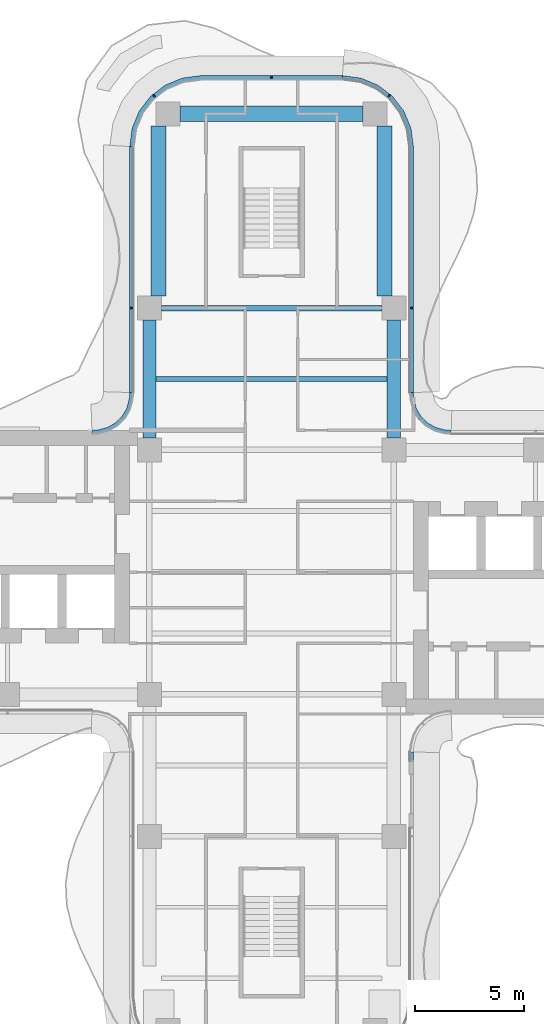
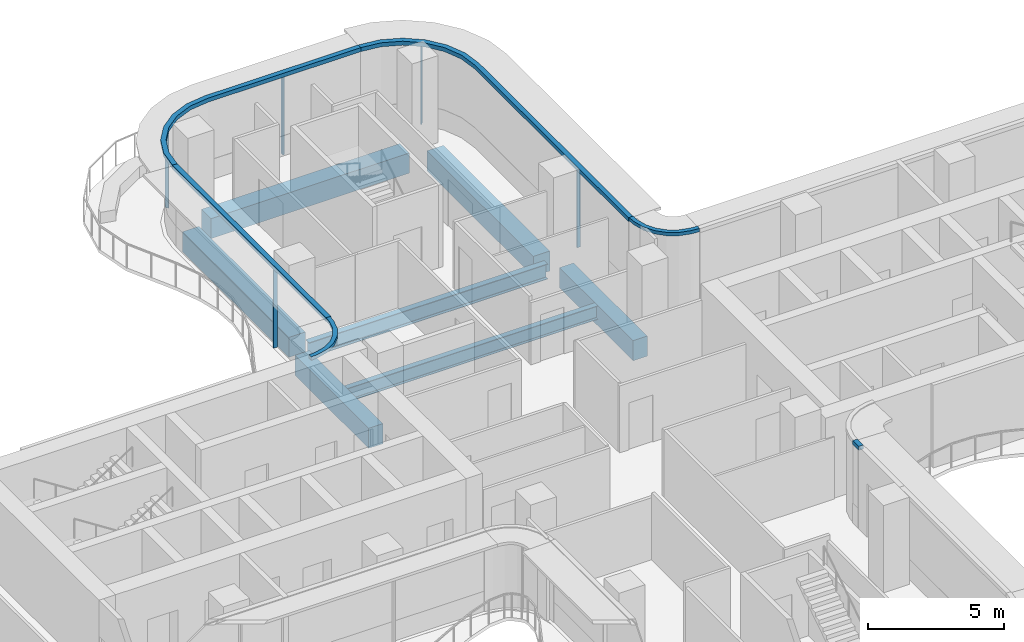
# One storey, part 7 of 17: 11 members, 7 beams, 6 elements without a shape of their own.
"""IFC4 building model written with IfcOpenShell, lengths in metres."""

from ifc_helpers import new_model, si_unit, direction, frame, origin, origin_2d, place, context, subcontext, project, spatial, polyline, rectangle, i_section, outline, extrude, source, transform, mapped, material, layer, layer_set, material_profile, profile_set, type_object, element, aggregate, save


model = new_model("IFC4")

# Units and contexts
model_context = context("Model", 3, precision=1e-05, world=origin(), true_north=direction((0.0, 1.0)))
body_context = subcontext(model_context, "Body", "Model", "MODEL_VIEW")
ifc_project = project(units=[si_unit("LENGTHUNIT", "METRE"), si_unit("AREAUNIT", "SQUARE_METRE"), si_unit("VOLUMEUNIT", "CUBIC_METRE"), si_unit("PLANEANGLEUNIT", "RADIAN"), si_unit("MASSUNIT", "GRAM", prefix="KILO")], contexts=[model_context])

# Site, building, storey
site_placement = place(None, origin())
site = spatial("IfcSite", under=ifc_project, at=site_placement, CompositionType="ELEMENT")
building_placement = place(site_placement, origin())
building = spatial("IfcBuilding", under=site, at=building_placement, Name="Trellis Farm Tower", CompositionType="ELEMENT")
storey_placement = place(building_placement, frame((0.0, 0.0, 244.10009765625)))
storey = spatial("IfcBuildingStorey", under=building, at=storey_placement, Name="L54", CompositionType="ELEMENT", Elevation=244.10009765625)

# Beams
ifc_material_1 = material(Name="Steel S355", Category="steel")
ifc_material_profile_1 = material_profile(ifc_material_1, i_section(OverallWidth=0.22900390625, OverallDepth=0.6123046875, WebThickness=0.011962890625, FlangeThickness=0.01953125, FilletRadius=0.0126953125, at=origin_2d()), Name="UB 610x229x125")
ifc_profile_set_1 = profile_set([ifc_material_profile_1], Name="Steel S355")
beam_type_1 = type_object("IfcBeamType", Name="UB 610x229x125 joist", PredefinedType="JOIST", material=ifc_profile_set_1)
shared_shape_1 = source(origin(), body_context, "Body", "SweptSolid", [
    extrude(i_section(OverallWidth=0.22900390625, OverallDepth=0.6123046875, WebThickness=0.011962890625, FlangeThickness=0.01953125, FilletRadius=0.0126953125, at=origin_2d()), origin(), (0.0, 0.0, 1.0), 10.60009765625),
])
beam_1_placement = place(storey_placement, frame((-5.300048828125, 8.85009765625, -0.506103515625), z_axis=(1.0, 0.0, 0.0), x_axis=(0.0, 1.0, 0.0)))
element("IfcBeam", 1, at=beam_1_placement, inside=storey, type_object=beam_type_1, Name="Floor beam", PredefinedType="JOIST", context=body_context, shape_type="MappedRepresentation", body=[
    mapped(shared_shape_1, transform((0.0, 0.0, 0.0))),
])
ifc_material_profile_2 = material_profile(ifc_material_1, i_section(OverallWidth=0.253662109375, OverallDepth=0.68359375, WebThickness=0.012451171875, FlangeThickness=0.021728515625, FilletRadius=0.01513671875, at=origin_2d()), Name="UB 686x254x140")
ifc_profile_set_2 = profile_set([ifc_material_profile_2], Name="Steel S355")
beam_type_2 = type_object("IfcBeamType", Name="UB 686x254x140", PredefinedType="BEAM", material=ifc_profile_set_2)
shared_shape_2 = source(origin(), body_context, "Body", "SweptSolid", [
    extrude(i_section(OverallWidth=0.253662109375, OverallDepth=0.68359375, WebThickness=0.012451171875, FlangeThickness=0.021728515625, FilletRadius=0.01513671875, at=origin_2d()), origin(), (0.0, 0.0, 1.0), 10.10009765625),
])
beam_2_placement = place(storey_placement, frame((-5.050048828125, 12.10009765625, -0.541748046875), z_axis=(1.0, 0.0, 0.0), x_axis=(0.0, 1.0, 0.0)))
element("IfcBeam", 2, at=beam_2_placement, inside=storey, type_object=beam_type_2, Name="Girder", PredefinedType="BEAM", context=body_context, shape_type="MappedRepresentation", body=[
    mapped(shared_shape_2, transform((0.0, 0.0, 0.0))),
])
ifc_material_2 = material(Name="Concrete C60/75", Category="concrete")
ifc_material_profile_3 = material_profile(ifc_material_2, rectangle(XDim=0.60009765625, YDim=0.89990234375, at=origin_2d()), Name="RC spandrel beam 600x900 C60/75")
ifc_profile_set_3 = profile_set([ifc_material_profile_3], Name="Concrete C60/75")
beam_type_3 = type_object("IfcBeamType", Name="RC spandrel beam 600x900 C60/75", PredefinedType="SPANDREL", material=ifc_profile_set_3)
shared_shape_3 = source(origin(), body_context, "Body", "SweptSolid", [
    extrude(rectangle(XDim=0.60009765625, YDim=0.89990234375, at=origin_2d()), origin(), (0.0, 0.0, 1.0), 5.400146484375),
])
for number, where, z_axis, x_axis, name in (
    (3, (-5.60009765625, 6.14990234375, -0.650146484375), (0.0, 1.0, 0.0), (-1.0, 0.0, 0.0), "Girder"),
    (4, (5.60009765625, 6.14990234375, -0.650146484375), (0.0, 1.0, 0.0), (-1.0, 0.0, 0.0), "Girder"),
):
    element("IfcBeam", number, at=place(storey_placement, frame(where, z_axis=z_axis, x_axis=x_axis)), inside=storey, type_object=beam_type_3, Name=name, PredefinedType="SPANDREL", context=body_context, shape_type="MappedRepresentation", body=[
        mapped(shared_shape_3, transform((0.0, 0.0, 0.0))),
    ])
ifc_material_profile_4 = material_profile(ifc_material_2, rectangle(XDim=0.699951171875, YDim=0.89990234375, at=origin_2d()), Name="RC spandrel beam 700x900 C60/75")
ifc_profile_set_4 = profile_set([ifc_material_profile_4], Name="Concrete C60/75")
beam_type_4 = type_object("IfcBeamType", Name="RC spandrel beam 700x900 C60/75", PredefinedType="SPANDREL", material=ifc_profile_set_4)
shared_shape_4 = source(origin(), body_context, "Body", "SweptSolid", [
    extrude(rectangle(XDim=0.699951171875, YDim=0.89990234375, at=origin_2d()), origin(), (0.0, 0.0, 1.0), 8.39990234375),
])
beam_3_placement = place(storey_placement, frame((-4.199951171875, 21.0, -0.650146484375), z_axis=(1.0, 0.0, 0.0), x_axis=(0.0, 1.0, 0.0)))
element("IfcBeam", 5, at=beam_3_placement, inside=storey, type_object=beam_type_4, Name="Girder", PredefinedType="SPANDREL", context=body_context, shape_type="MappedRepresentation", body=[
    mapped(shared_shape_4, transform((0.0, 0.0, 0.0))),
])
shared_shape_5 = source(origin(), body_context, "Body", "SweptSolid", [
    extrude(rectangle(XDim=0.699951171875, YDim=0.89990234375, at=origin_2d()), origin(), (0.0, 0.0, 1.0), 7.800048828125),
])
for number, where, z_axis, x_axis, name in (
    (6, (-5.175048828125, 12.64990234375, -0.650146484375), (0.0, 1.0, 0.0), (-1.0, 0.0, 0.0), "Girder"),
    (7, (5.175048828125, 12.64990234375, -0.650146484375), (0.0, 1.0, 0.0), (-1.0, 0.0, 0.0), "Girder"),
):
    element("IfcBeam", number, at=place(storey_placement, frame(where, z_axis=z_axis, x_axis=x_axis)), inside=storey, type_object=beam_type_4, Name=name, PredefinedType="SPANDREL", context=body_context, shape_type="MappedRepresentation", body=[
        mapped(shared_shape_5, transform((0.0, 0.0, 0.0))),
    ])

# Curtain wall, member
ifc_material_3 = material(Name="Aluminium and glass curtain wall", Category="aluminium")
ifc_layer_1 = layer(ifc_material_3, 0.18994140625)
ifc_layer_set_1 = layer_set([ifc_layer_1], Name="RIBBON CURTAIN WALL CW1")
curtain_wall_type_1 = type_object("IfcCurtainWallType", Name="RIBBON CURTAIN WALL CW1", PredefinedType="NOTDEFINED", material=ifc_layer_set_1)
placement_1 = place(storey_placement, origin())
curtain_wall_1 = element("IfcCurtainWall", 8, at=placement_1, inside=storey, type_object=curtain_wall_type_1, Name="CW1 006", PredefinedType="NOTDEFINED")
ifc_material_4 = material(Name="Aluminium extrusion 6063-T6", Category="aluminium")
ifc_layer_2 = layer(ifc_material_4, 0.199951171875)
ifc_layer_set_2 = layer_set([ifc_layer_2], Name="Aluminium extrusion 6063-T6")
member_type_1 = type_object("IfcMemberType", Name="CW1 TRANSOM 200x180", PredefinedType="USERDEFINED", material=ifc_layer_set_2)
shared_shape_6 = source(origin(), body_context, "Body", "SweptSolid", [
    extrude(outline(polyline([(6.5, -8.665771484375), (6.5, -8.2314453125), (6.300048828125, -8.224853515625), (6.300048828125, -8.665771484375), (6.5, -8.665771484375)])), origin(), (0.0, 0.0, 1.0), 0.179931640625),
])
placement_2 = place(storey_placement, frame((0.0, 0.0, 3.52001953125)))
member_1 = element("IfcMember", 9, at=placement_2, type_object=member_type_1, Name="TR1 006", ObjectType="TRANSOM", PredefinedType="USERDEFINED", context=body_context, shape_type="MappedRepresentation", body=[
    mapped(shared_shape_6, transform((0.0, 0.0, 0.0))),
])
aggregate(curtain_wall_1, [member_1])

# Curtain wall, members
curtain_wall_2 = element("IfcCurtainWall", 10, at=placement_1, inside=storey, type_object=curtain_wall_type_1, Name="CW1 010", PredefinedType="NOTDEFINED")
ifc_material_profile_5 = material_profile(ifc_material_4, rectangle(XDim=0.06005859375, YDim=0.14990234375, at=origin_2d()), Name="MULLION 60x150")
ifc_profile_set_5 = profile_set([ifc_material_profile_5], Name="Aluminium extrusion 6063-T6")
member_type_2 = type_object("IfcMemberType", Name="CW1 MULLION 60x150", PredefinedType="MULLION", material=ifc_profile_set_5)
shared_shape_7 = source(origin(), body_context, "Body", "SweptSolid", [
    extrude(rectangle(XDim=0.06005859375, YDim=0.14990234375, at=origin_2d()), origin(), (0.0, 0.0, 1.0), 3.52001953125),
])
member_2_placement = place(storey_placement, frame((6.425048828125, 12.10009765625, 0.0), z_axis=(0.0, 0.0, 1.0), x_axis=(0.0, 1.0, 0.0)))
member_2 = element("IfcMember", 11, at=member_2_placement, type_object=member_type_2, Name="MU1 010-01", PredefinedType="MULLION", context=body_context, shape_type="MappedRepresentation", body=[
    mapped(shared_shape_7, transform((0.0, 0.0, 0.0))),
])
member_3_placement = place(storey_placement, frame((5.385498046875, 21.828369140625, 0.0), z_axis=(0.0, 0.0, 1.0), x_axis=(-0.793353340291, 0.608761429009, 0.0)))
member_3 = element("IfcMember", 12, at=member_3_placement, type_object=member_type_2, Name="MU1 010-02", PredefinedType="MULLION", context=body_context, shape_type="MappedRepresentation", body=[
    mapped(shared_shape_7, transform((0.0, 0.0, 0.0))),
])

curtain_wall_3 = element("IfcCurtainWall", 13, at=placement_1, inside=storey, type_object=curtain_wall_type_1, Name="CW1 011", PredefinedType="NOTDEFINED")
member_4_placement = place(storey_placement, frame((0.0, 22.675048828125, 0.0), z_axis=(0.0, 0.0, 1.0), x_axis=(-1.0, 0.0, 0.0)))
member_4 = element("IfcMember", 14, at=member_4_placement, type_object=member_type_2, Name="MU1 011-01", PredefinedType="MULLION", context=body_context, shape_type="MappedRepresentation", body=[
    mapped(shared_shape_7, transform((0.0, 0.0, 0.0))),
])
member_5_placement = place(storey_placement, frame((-5.385498046875, 21.828369140625, 0.0), z_axis=(0.0, 0.0, 1.0), x_axis=(-0.793353340291, -0.608761429009, 0.0)))
member_5 = element("IfcMember", 15, at=member_5_placement, type_object=member_type_2, Name="MU1 011-02", PredefinedType="MULLION", context=body_context, shape_type="MappedRepresentation", body=[
    mapped(shared_shape_7, transform((0.0, 0.0, 0.0))),
])

# Curtain wall, member
curtain_wall_4 = element("IfcCurtainWall", 16, at=placement_1, inside=storey, type_object=curtain_wall_type_1, Name="CW1 012", PredefinedType="NOTDEFINED")
member_6_placement = place(storey_placement, frame((-6.425048828125, 12.10009765625, 0.0), z_axis=(0.0, 0.0, 1.0), x_axis=(0.0, -1.0, 0.0)))
member_6 = element("IfcMember", 17, at=member_6_placement, type_object=member_type_2, Name="MU1 012-01", PredefinedType="MULLION", context=body_context, shape_type="MappedRepresentation", body=[
    mapped(shared_shape_7, transform((0.0, 0.0, 0.0))),
])

ifc_layer_3 = layer(ifc_material_3, 0.166015625)
ifc_layer_set_3 = layer_set([ifc_layer_3], Name="WINTER GARDEN CURTAIN WALL CW3")
curtain_wall_type_2 = type_object("IfcCurtainWallType", Name="WINTER GARDEN CURTAIN WALL CW3", PredefinedType="NOTDEFINED", material=ifc_layer_set_3)
curtain_wall_5 = element("IfcCurtainWall", 18, at=placement_1, inside=storey, type_object=curtain_wall_type_2, Name="CW3 003", PredefinedType="NOTDEFINED")
ifc_layer_4 = layer(ifc_material_4, 0.169921875)
ifc_layer_set_4 = layer_set([ifc_layer_4], Name="Aluminium extrusion 6063-T6")
member_type_3 = type_object("IfcMemberType", Name="CW3 TRANSOM 170x150", PredefinedType="USERDEFINED", material=ifc_layer_set_4)
shared_shape_8 = source(origin(), body_context, "Body", "SweptSolid", [
    extrude(outline(polyline([(8.2314453125, 6.5), (8.01953125, 6.513916015625), (7.91552734375, 6.527587890625), (7.508544921875, 6.63671875), (7.144287109375, 6.846923828125), (6.846923828125, 7.144287109375), (6.63671875, 7.508544921875), (6.527587890625, 7.91552734375), (6.513916015625, 8.01953125), (6.5, 8.2314453125), (6.330078125, 8.225830078125), (6.3447265625, 8.0029296875), (6.360595703125, 7.88232421875), (6.478271484375, 7.44287109375), (6.7109375, 7.0400390625), (7.0400390625, 6.7109375), (7.44287109375, 6.478271484375), (7.88232421875, 6.360595703125), (8.0029296875, 6.3447265625), (8.225830078125, 6.330078125), (8.2314453125, 6.5)])), origin(), (0.0, 0.0, 1.0), 0.150146484375),
])
placement_3 = place(storey_placement, frame((0.0, 0.0, 3.5498046875)))
member_7 = element("IfcMember", 19, at=placement_3, type_object=member_type_3, Name="TR3 003", ObjectType="TRANSOM", PredefinedType="USERDEFINED", context=body_context, shape_type="MappedRepresentation", body=[
    mapped(shared_shape_8, transform((0.0, 0.0, 0.0))),
])
aggregate(curtain_wall_5, [member_7])

curtain_wall_6 = element("IfcCurtainWall", 20, at=placement_1, inside=storey, type_object=curtain_wall_type_2, Name="CW3 004", PredefinedType="NOTDEFINED")
shared_shape_9 = source(origin(), body_context, "Body", "SweptSolid", [
    extrude(outline(polyline([(-6.5, 8.2314453125), (-6.513916015625, 8.01953125), (-6.527587890625, 7.91552734375), (-6.63671875, 7.508544921875), (-6.846923828125, 7.144287109375), (-7.144287109375, 6.846923828125), (-7.508544921875, 6.63671875), (-7.91552734375, 6.527587890625), (-8.01953125, 6.513916015625), (-8.2314453125, 6.5), (-8.225830078125, 6.330078125), (-8.0029296875, 6.3447265625), (-7.88232421875, 6.360595703125), (-7.44287109375, 6.478271484375), (-7.0400390625, 6.7109375), (-6.7109375, 7.0400390625), (-6.478271484375, 7.44287109375), (-6.360595703125, 7.88232421875), (-6.3447265625, 8.0029296875), (-6.330078125, 8.225830078125), (-6.5, 8.2314453125)])), origin(), (0.0, 0.0, 1.0), 0.150146484375),
])
member_8 = element("IfcMember", 21, at=placement_3, type_object=member_type_3, Name="TR3 004", ObjectType="TRANSOM", PredefinedType="USERDEFINED", context=body_context, shape_type="MappedRepresentation", body=[
    mapped(shared_shape_9, transform((0.0, 0.0, 0.0))),
])
aggregate(curtain_wall_6, [member_8])

# Member
shared_shape_10 = source(origin(), body_context, "Body", "SweptSolid", [
    extrude(outline(polyline([(6.5, 8.2314453125), (6.5, 19.5), (6.38916015625, 20.341064453125), (6.064697265625, 21.125), (5.548095703125, 21.798095703125), (4.875, 22.314697265625), (4.091064453125, 22.63916015625), (3.25, 22.75), (3.23681640625, 22.550048828125), (4.0390625, 22.4443359375), (4.774169921875, 22.139892578125), (5.405517578125, 21.655517578125), (5.889892578125, 21.024169921875), (6.1943359375, 20.2890625), (6.300048828125, 19.48681640625), (6.300048828125, 8.224853515625), (6.5, 8.2314453125)])), origin(), (0.0, 0.0, 1.0), 0.179931640625),
])
member_9 = element("IfcMember", 22, at=placement_2, type_object=member_type_1, Name="TR1 010", ObjectType="TRANSOM", PredefinedType="USERDEFINED", context=body_context, shape_type="MappedRepresentation", body=[
    mapped(shared_shape_10, transform((0.0, 0.0, 0.0))),
])

aggregate(curtain_wall_2, [member_2, member_3, member_9])

shared_shape_11 = source(origin(), body_context, "Body", "SweptSolid", [
    extrude(outline(polyline([(3.25, 22.75), (-3.25, 22.75), (-4.091064453125, 22.63916015625), (-4.875, 22.314697265625), (-5.548095703125, 21.798095703125), (-6.064697265625, 21.125), (-6.38916015625, 20.341064453125), (-6.5, 19.5), (-6.300048828125, 19.48681640625), (-6.1943359375, 20.2890625), (-5.889892578125, 21.024169921875), (-5.405517578125, 21.655517578125), (-4.774169921875, 22.139892578125), (-4.0390625, 22.4443359375), (-3.23681640625, 22.550048828125), (3.23681640625, 22.550048828125), (3.25, 22.75)])), origin(), (0.0, 0.0, 1.0), 0.179931640625),
])
member_10 = element("IfcMember", 23, at=placement_2, type_object=member_type_1, Name="TR1 011", ObjectType="TRANSOM", PredefinedType="USERDEFINED", context=body_context, shape_type="MappedRepresentation", body=[
    mapped(shared_shape_11, transform((0.0, 0.0, 0.0))),
])

aggregate(curtain_wall_3, [member_4, member_5, member_10])

shared_shape_12 = source(origin(), body_context, "Body", "SweptSolid", [
    extrude(outline(polyline([(-6.5, 19.5), (-6.5, 8.2314453125), (-6.300048828125, 8.224853515625), (-6.300048828125, 19.48681640625), (-6.5, 19.5)])), origin(), (0.0, 0.0, 1.0), 0.179931640625),
])
member_11 = element("IfcMember", 24, at=placement_2, type_object=member_type_1, Name="TR1 012", ObjectType="TRANSOM", PredefinedType="USERDEFINED", context=body_context, shape_type="MappedRepresentation", body=[
    mapped(shared_shape_12, transform((0.0, 0.0, 0.0))),
])

aggregate(curtain_wall_4, [member_6, member_11])

save(model, "model.ifc")
